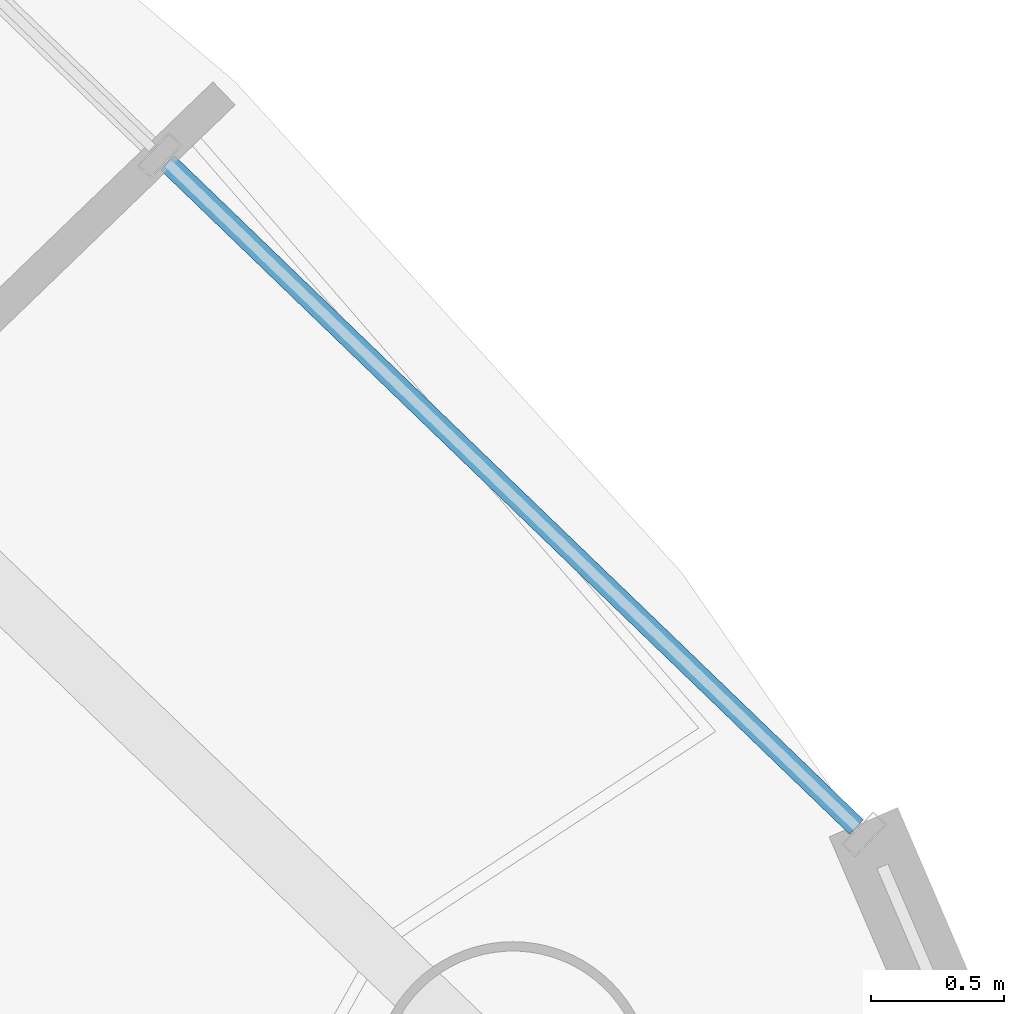
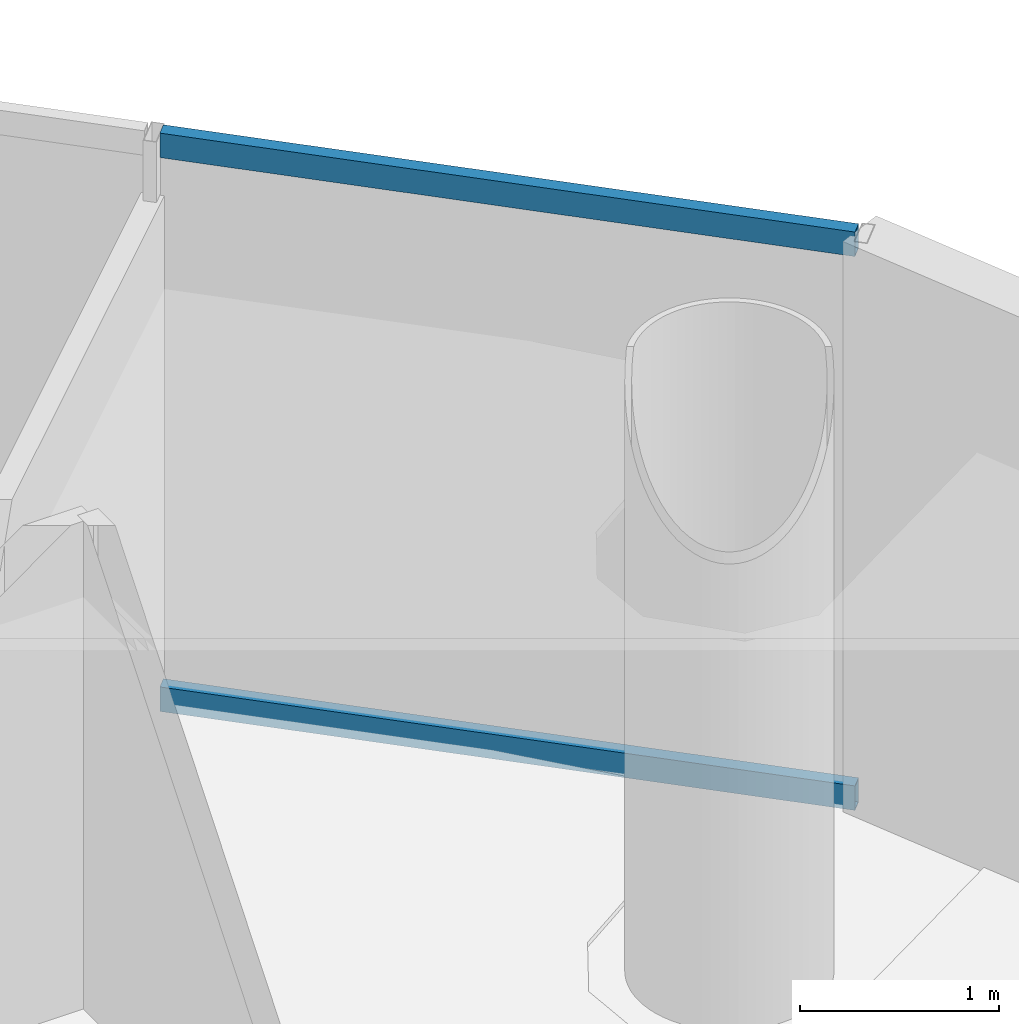
# One storey, part 12 of 23: 2 members, 1 element without a shape of its own.
"""IFC4 building model written with IfcOpenShell, lengths in metres."""

from ifc_helpers import new_model, si_unit, direction, frame, origin, origin_2d, place, context, subcontext, project, spatial, hollow_rectangle, extrude, source, transform, mapped, material, material_profile, profile_set, type_object, element, aggregate, save


model = new_model("IFC4")

# Units and contexts
model_context = context("Model", 3, precision=1e-05, world=origin(), true_north=direction((-0.2419218956, 0.970295726276)))
body_context = subcontext(model_context, "Body", "Model", "MODEL_VIEW")
ifc_project = project(units=[si_unit("LENGTHUNIT", "METRE"), si_unit("AREAUNIT", "SQUARE_METRE"), si_unit("VOLUMEUNIT", "CUBIC_METRE"), si_unit("PLANEANGLEUNIT", "RADIAN"), si_unit("MASSUNIT", "GRAM", prefix="KILO")], contexts=[model_context])

# Site, building, storey
site_placement = place(None, origin())
site = spatial("IfcSite", under=ifc_project, at=site_placement, CompositionType="ELEMENT")
building_placement = place(site_placement, origin())
building = spatial("IfcBuilding", under=site, at=building_placement, Name="Cobrevalo Terracotta Tower", CompositionType="ELEMENT")
storey_placement = place(building_placement, frame((0.0, 0.0, 248.199951171875)))
storey = spatial("IfcBuildingStorey", under=building, at=storey_placement, Name="L65", CompositionType="ELEMENT", Elevation=248.199951171875)

# Curtain wall, members
ifc_material = material(Name="Anodized aluminium", Category="aluminium")
curtain_wall_type = type_object("IfcCurtainWallType", Name="Upper-tower triple-glazed penthouse curtain wall CW-U3", PredefinedType="NOTDEFINED", material=ifc_material)
curtain_wall_placement = place(storey_placement, origin())
curtain_wall = element("IfcCurtainWall", 1, at=curtain_wall_placement, inside=storey, type_object=curtain_wall_type, Name="L65 curtain wall CW-L65-S02", PredefinedType="NOTDEFINED")
ifc_material_profile = material_profile(ifc_material, hollow_rectangle(XDim=0.074951171875, YDim=0.14990234375, WallThickness=0.00439453125, at=origin_2d()), Name="CWT 75x150")
ifc_profile_set = profile_set([ifc_material_profile], Name="Anodized aluminium")
member_type = type_object("IfcMemberType", Name="Tower unitised aluminium transom 75x150", PredefinedType="USERDEFINED", material=ifc_profile_set)
shared_shape = source(origin(), body_context, "Body", "SweptSolid", [
    extrude(hollow_rectangle(XDim=0.074951171875, YDim=0.14990234375, WallThickness=0.00439453125, at=origin_2d()), origin(), (0.0, 0.0, 1.0), 3.59130859375),
])
member_1_placement = place(storey_placement, frame((54.0478515625, 37.22802734375, 0.050048828125), z_axis=(-0.720005628362, 0.693968223427, 0.0), x_axis=(-0.693968223427, -0.720005628362, 0.0)))
member_1 = element("IfcMember", 2, at=member_1_placement, type_object=member_type, Name="CW-L65-S02 transom B01-T1", ObjectType="TRANSOM", PredefinedType="USERDEFINED", context=body_context, shape_type="MappedRepresentation", body=[
    mapped(shared_shape, transform((0.0, 0.0, 0.0), scale=1.0)),
])
member_2_placement = place(storey_placement, frame((54.0478515625, 37.22802734375, 3.43994140625), z_axis=(-0.720005628362, 0.693968223427, 0.0), x_axis=(-0.693968223427, -0.720005628362, 0.0)))
member_2 = element("IfcMember", 3, at=member_2_placement, type_object=member_type, Name="CW-L65-S02 transom B01-T2", ObjectType="TRANSOM", PredefinedType="USERDEFINED", context=body_context, shape_type="MappedRepresentation", body=[
    mapped(shared_shape, transform((0.0, 0.0, 0.0), scale=1.0)),
])
aggregate(curtain_wall, [member_1, member_2])

save(model, "model.ifc")
